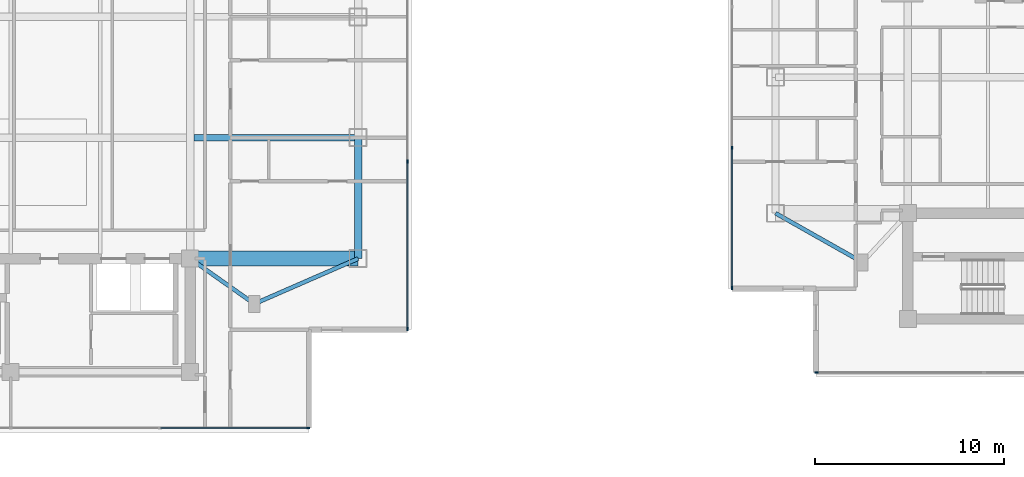
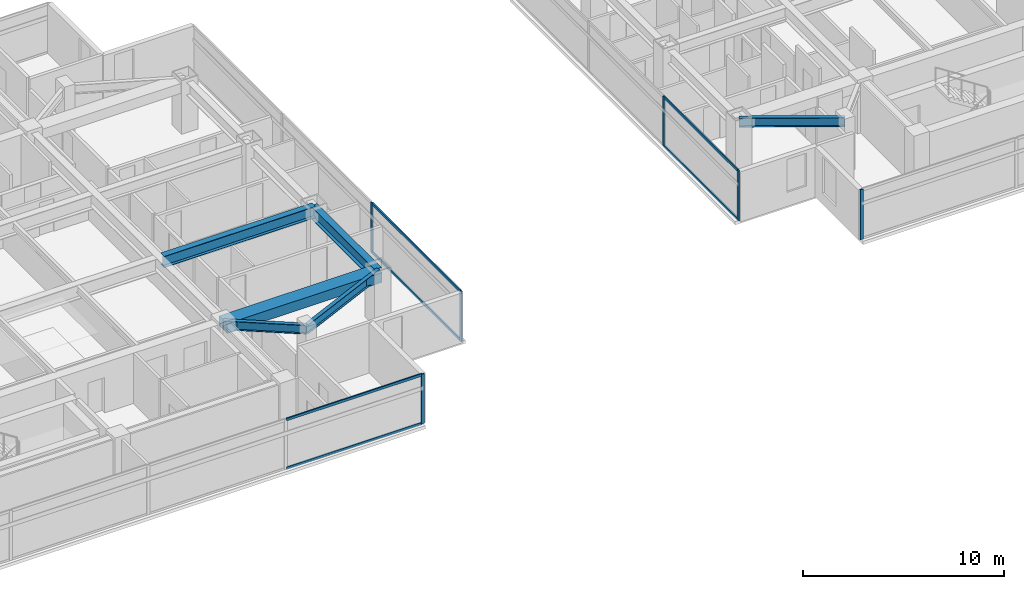
# One storey, part 4 of 26: 12 members, 6 beams, 4 elements without a shape of their own.
"""IFC4 building model written with IfcOpenShell, lengths in metres."""

from ifc_helpers import new_model, si_unit, direction, frame, origin, origin_2d, place, context, subcontext, project, spatial, rectangle, i_section, extrude, material, material_profile, profile_set, type_object, element, aggregate, save


model = new_model("IFC4")

# Units and contexts
model_context = context("Model", 3, precision=1e-05, world=origin(), true_north=direction((0.0, 1.0)))
body_context = subcontext(model_context, "Body", "Model", "MODEL_VIEW")
ifc_project = project(units=[si_unit("LENGTHUNIT", "METRE"), si_unit("AREAUNIT", "SQUARE_METRE"), si_unit("VOLUMEUNIT", "CUBIC_METRE"), si_unit("PLANEANGLEUNIT", "RADIAN"), si_unit("MASSUNIT", "GRAM", prefix="KILO")], contexts=[model_context])

# Site, building, storey
site_placement = place(None, origin())
site = spatial("IfcSite", under=ifc_project, at=site_placement, CompositionType="ELEMENT")
building_placement = place(site_placement, origin())
building = spatial("IfcBuilding", under=site, at=building_placement, Name="Mirazonda Arch Towers", CompositionType="ELEMENT")
storey_placement = place(building_placement, frame((0.0, 0.0, 203.14990234375)))
storey = spatial("IfcBuildingStorey", under=building, at=storey_placement, Name="L58", CompositionType="ELEMENT", Elevation=203.14990234375)

# Beams
ifc_material_1 = material(Name="Steel ASTM A992 Grade 50", Category="steel")
ifc_material_profile_1 = material_profile(ifc_material_1, i_section(OverallWidth=0.381103515625, OverallDepth=0.77294921875, WebThickness=0.0166015625, FlangeThickness=0.027099609375, at=origin_2d()), Name="W30X173")
ifc_profile_set_1 = profile_set([ifc_material_profile_1], Name="Steel ASTM A992 Grade 50")
beam_type_1 = type_object("IfcBeamType", Name="BM-EXT-W30X173", PredefinedType="USERDEFINED", material=ifc_profile_set_1)
beam_1_placement = place(storey_placement, frame((38.89990234375, 18.39990234375, 2.66357421875), z_axis=(0.0, 1.0, 0.0), x_axis=(-1.0, 0.0, 0.0)))
element("IfcBeam", 1, at=beam_1_placement, inside=storey, type_object=beam_type_1, Name="L58 Floor Beam BM-T1-L58-NS-E-18", ObjectType="GIRDER", PredefinedType="USERDEFINED", context=body_context, shape_type="SweptSolid", body=[
    extrude(i_section(OverallWidth=0.381103515625, OverallDepth=0.77294921875, WebThickness=0.0166015625, FlangeThickness=0.027099609375, at=origin_2d()), origin(), (0.0, 0.0, 1.0), 6.400146484375),
])
ifc_material_profile_2 = material_profile(ifc_material_1, i_section(OverallWidth=0.214111328125, OverallDepth=0.549072265625, WebThickness=0.0146484375, FlangeThickness=0.023681640625, at=origin_2d()), Name="W21X93")
ifc_profile_set_2 = profile_set([ifc_material_profile_2], Name="Steel ASTM A992 Grade 50")
beam_type_2 = type_object("IfcBeamType", Name="BM-INT-W21X93", PredefinedType="BEAM", material=ifc_profile_set_2)
beam_2_placement = place(storey_placement, frame((33.39990234375, 16.0, 2.775634765625), z_axis=(-0.816971114901, 0.576678591087, 0.0), x_axis=(-0.576678591087, -0.816971114901, 0.0)))
element("IfcBeam", 2, at=beam_2_placement, inside=storey, type_object=beam_type_2, Name="L58 Floor Beam BM-T1-L58-PL-SE1", PredefinedType="BEAM", context=body_context, shape_type="SweptSolid", body=[
    extrude(i_section(OverallWidth=0.214111328125, OverallDepth=0.549072265625, WebThickness=0.0146484375, FlangeThickness=0.023681640625, at=origin_2d()), origin(), (0.0, 0.0, 1.0), 4.16162109375),
])
beam_3_placement = place(storey_placement, frame((33.39990234375, 16.0, 2.775634765625), z_axis=(0.916545343703, 0.399930785183, 0.0), x_axis=(-0.399930785183, 0.916545343703, 0.0)))
element("IfcBeam", 3, at=beam_3_placement, inside=storey, type_object=beam_type_2, Name="L58 Floor Beam BM-T1-L58-PL-SE2", PredefinedType="BEAM", context=body_context, shape_type="SweptSolid", body=[
    extrude(i_section(OverallWidth=0.214111328125, OverallDepth=0.549072265625, WebThickness=0.0146484375, FlangeThickness=0.023681640625, at=origin_2d()), origin(), (0.0, 0.0, 1.0), 6.000732421875),
])
beam_4_placement = place(storey_placement, frame((65.60009765625, 18.199951171875, 2.775634765625), z_axis=(-0.870559396632, 0.492063346467, 0.0), x_axis=(-0.492063346467, -0.870559396632, 0.0)))
element("IfcBeam", 4, at=beam_4_placement, inside=storey, type_object=beam_type_2, Name="L58 Floor Beam BM-T2-L58-PL-SW2", PredefinedType="BEAM", context=body_context, shape_type="SweptSolid", body=[
    extrude(i_section(OverallWidth=0.214111328125, OverallDepth=0.549072265625, WebThickness=0.0146484375, FlangeThickness=0.023681640625, at=origin_2d()), origin(), (0.0, 0.0, 1.0), 5.2841796875),
])
ifc_material_profile_3 = material_profile(ifc_material_1, i_section(OverallWidth=0.35498046875, OverallDepth=0.696044921875, WebThickness=0.015380859375, FlangeThickness=0.02490234375, at=origin_2d()), Name="W27X146")
ifc_profile_set_3 = profile_set([ifc_material_profile_3], Name="Steel ASTM A992 Grade 50")
beam_type_3 = type_object("IfcBeamType", Name="BM-INT-W27X146", PredefinedType="BEAM", material=ifc_profile_set_3)
beam_5_placement = place(storey_placement, frame((30.199951171875, 24.800048828125, 2.7021484375), z_axis=(1.0, 0.0, 0.0), x_axis=(0.0, 1.0, 0.0)))
element("IfcBeam", 5, at=beam_5_placement, inside=storey, type_object=beam_type_3, Name="L58 Floor Beam BM-T1-L58-GE2", PredefinedType="BEAM", context=body_context, shape_type="SweptSolid", body=[
    extrude(i_section(OverallWidth=0.35498046875, OverallDepth=0.696044921875, WebThickness=0.015380859375, FlangeThickness=0.02490234375, at=origin_2d()), origin(), (0.0, 0.0, 1.0), 8.699951171875),
])
ifc_material_2 = material(Name="Concrete C60/75", Category="concrete")
ifc_material_profile_4 = material_profile(ifc_material_2, rectangle(XDim=0.800048828125, YDim=0.60009765625, at=origin_2d()), Name="RCCB800x600")
ifc_profile_set_4 = profile_set([ifc_material_profile_4], Name="Concrete C60/75")
beam_type_4 = type_object("IfcBeamType", Name="CB-INT-RCCB800x600", PredefinedType="SPANDREL", material=ifc_profile_set_4)
beam_6_placement = place(storey_placement, frame((30.0, 18.39990234375, 2.75), z_axis=(1.0, 0.0, 0.0), x_axis=(0.0, 1.0, 0.0)))
element("IfcBeam", 6, at=beam_6_placement, inside=storey, type_object=beam_type_4, Name="L58 Floor Beam CBC-T1-L58-SE", PredefinedType="SPANDREL", context=body_context, shape_type="SweptSolid", body=[
    extrude(rectangle(XDim=0.800048828125, YDim=0.60009765625, at=origin_2d()), origin(), (0.0, 0.0, 1.0), 8.89990234375),
])

# Curtain wall, member
ifc_material_3 = material(Name="Anodised Aluminium and Low-E Glass", Category="aluminium")
curtain_wall_type = type_object("IfcCurtainWallType", Name="CW-RES-UNIT", PredefinedType="NOTDEFINED", material=ifc_material_3)
curtain_wall_1_placement = place(storey_placement, origin())
curtain_wall_1 = element("IfcCurtainWall", 7, at=curtain_wall_1_placement, inside=storey, type_object=curtain_wall_type, Name="L58 T1 S Facade CW-L58-T1-S", PredefinedType="NOTDEFINED")
ifc_material_4 = material(Name="Anodised Aluminium Alloy", Category="aluminium")
ifc_material_profile_5 = material_profile(ifc_material_4, rectangle(XDim=0.074951171875, YDim=0.175048828125, at=origin_2d()), Name="ALU-MULL-75x175")
ifc_profile_set_5 = profile_set([ifc_material_profile_5], Name="Anodised Aluminium Alloy")
member_type_1 = type_object("IfcMemberType", Name="MULL-CW-RES-UNIT", PredefinedType="MULLION", material=ifc_profile_set_5)
member_1_placement = place(storey_placement, frame((36.257568359375, 9.422119140625, 0.0), z_axis=(0.0, 0.0, 1.0), x_axis=(0.0, -1.0, 0.0)))
member_1 = element("IfcMember", 8, at=member_1_placement, type_object=member_type_1, Name="CW-104 mullion 1", PredefinedType="MULLION", context=body_context, shape_type="SweptSolid", body=[
    extrude(rectangle(XDim=0.074951171875, YDim=0.175048828125, at=origin_2d()), origin(), (0.0, 0.0, 1.0), 3.030029296875),
])

# Curtain wall, members
curtain_wall_2_placement = place(storey_placement, origin())
curtain_wall_2 = element("IfcCurtainWall", 9, at=curtain_wall_2_placement, inside=storey, type_object=curtain_wall_type, Name="L58 T1 E Facade CW-L58-T1-E", PredefinedType="NOTDEFINED")
member_2_placement = place(storey_placement, frame((41.510009765625, 14.674560546875, 0.0), z_axis=(0.0, 0.0, 1.0), x_axis=(-1.0, 0.0, 0.0)))
member_2 = element("IfcMember", 10, at=member_2_placement, type_object=member_type_1, Name="CW-104 mullion 1", PredefinedType="MULLION", context=body_context, shape_type="SweptSolid", body=[
    extrude(rectangle(XDim=0.074951171875, YDim=0.175048828125, at=origin_2d()), origin(), (0.0, 0.0, 1.0), 3.030029296875),
])
member_3_placement = place(storey_placement, frame((41.510009765625, 23.545654296875, 0.0), z_axis=(0.0, 0.0, 1.0), x_axis=(-1.0, 0.0, 0.0)))
member_3 = element("IfcMember", 11, at=member_3_placement, type_object=member_type_1, Name="CW-104 mullion 2", PredefinedType="MULLION", context=body_context, shape_type="SweptSolid", body=[
    extrude(rectangle(XDim=0.074951171875, YDim=0.175048828125, at=origin_2d()), origin(), (0.0, 0.0, 1.0), 3.030029296875),
])

# Curtain wall, member
curtain_wall_3_placement = place(storey_placement, origin())
curtain_wall_3 = element("IfcCurtainWall", 12, at=curtain_wall_3_placement, inside=storey, type_object=curtain_wall_type, Name="L58 T2 S Facade CW-L58-T2-S", PredefinedType="NOTDEFINED")
member_4_placement = place(storey_placement, frame((63.171630859375, 12.36181640625, 0.0), z_axis=(0.0, 0.0, 1.0), x_axis=(0.0, -1.0, 0.0)))
member_4 = element("IfcMember", 13, at=member_4_placement, type_object=member_type_1, Name="CW-104 mullion 4", PredefinedType="MULLION", context=body_context, shape_type="SweptSolid", body=[
    extrude(rectangle(XDim=0.074951171875, YDim=0.175048828125, at=origin_2d()), origin(), (0.0, 0.0, 1.0), 3.030029296875),
])
aggregate(curtain_wall_3, [member_4])

# Curtain wall, members
curtain_wall_4_placement = place(storey_placement, origin())
curtain_wall_4 = element("IfcCurtainWall", 14, at=curtain_wall_4_placement, inside=storey, type_object=curtain_wall_type, Name="L58 T2 W Facade CW-L58-T2-W", PredefinedType="NOTDEFINED")
member_5_placement = place(storey_placement, frame((58.694580078125, 24.26708984375, 0.0), z_axis=(0.0, 0.0, 1.0), x_axis=(1.0, 0.0, 0.0)))
member_5 = element("IfcMember", 15, at=member_5_placement, type_object=member_type_1, Name="CW-104 mullion 3", PredefinedType="MULLION", context=body_context, shape_type="SweptSolid", body=[
    extrude(rectangle(XDim=0.074951171875, YDim=0.175048828125, at=origin_2d()), origin(), (0.0, 0.0, 1.0), 3.030029296875),
])
member_6_placement = place(storey_placement, frame((58.694580078125, 16.8388671875, 0.0), z_axis=(0.0, 0.0, 1.0), x_axis=(1.0, 0.0, 0.0)))
member_6 = element("IfcMember", 16, at=member_6_placement, type_object=member_type_1, Name="CW-104 mullion 4", PredefinedType="MULLION", context=body_context, shape_type="SweptSolid", body=[
    extrude(rectangle(XDim=0.074951171875, YDim=0.175048828125, at=origin_2d()), origin(), (0.0, 0.0, 1.0), 3.030029296875),
])

# Member
ifc_material_profile_6 = material_profile(ifc_material_4, rectangle(XDim=0.074951171875, YDim=0.155029296875, at=origin_2d()), Name="ALU-TRAN-75x155")
ifc_profile_set_6 = profile_set([ifc_material_profile_6], Name="Anodised Aluminium Alloy")
member_type_2 = type_object("IfcMemberType", Name="TRAN-CW-RES-UNIT", PredefinedType="USERDEFINED", material=ifc_profile_set_6)
member_7_placement = place(storey_placement, frame((36.219970703125, 9.422119140625, 0.03759765625), z_axis=(-1.0, 0.0, 0.0), x_axis=(0.0, -1.0, 0.0)))
member_7 = element("IfcMember", 17, at=member_7_placement, type_object=member_type_2, Name="CW-104 transom 1.1", ObjectType="TRANSOM", PredefinedType="USERDEFINED", context=body_context, shape_type="SweptSolid", body=[
    extrude(rectangle(XDim=0.074951171875, YDim=0.155029296875, at=origin_2d()), origin(), (0.0, 0.0, 1.0), 7.784912109375),
])

member_8_placement = place(storey_placement, frame((36.219970703125, 9.422119140625, 2.99267578125), z_axis=(-1.0, 0.0, 0.0), x_axis=(0.0, -1.0, 0.0)))
member_8 = element("IfcMember", 18, at=member_8_placement, type_object=member_type_2, Name="CW-104 transom 1.2", ObjectType="TRANSOM", PredefinedType="USERDEFINED", context=body_context, shape_type="SweptSolid", body=[
    extrude(rectangle(XDim=0.074951171875, YDim=0.155029296875, at=origin_2d()), origin(), (0.0, 0.0, 1.0), 7.784912109375),
])

aggregate(curtain_wall_1, [member_1, member_7, member_8])

member_9_placement = place(storey_placement, frame((41.510009765625, 14.7119140625, 0.03759765625), z_axis=(0.0, 1.0, 0.0), x_axis=(-1.0, 0.0, 0.0)))
member_9 = element("IfcMember", 19, at=member_9_placement, type_object=member_type_2, Name="CW-104 transom 1.1", ObjectType="TRANSOM", PredefinedType="USERDEFINED", context=body_context, shape_type="SweptSolid", body=[
    extrude(rectangle(XDim=0.074951171875, YDim=0.155029296875, at=origin_2d()), origin(), (0.0, 0.0, 1.0), 8.796142578125),
])

member_10_placement = place(storey_placement, frame((41.510009765625, 14.7119140625, 2.99267578125), z_axis=(0.0, 1.0, 0.0), x_axis=(-1.0, 0.0, 0.0)))
member_10 = element("IfcMember", 20, at=member_10_placement, type_object=member_type_2, Name="CW-104 transom 1.2", ObjectType="TRANSOM", PredefinedType="USERDEFINED", context=body_context, shape_type="SweptSolid", body=[
    extrude(rectangle(XDim=0.074951171875, YDim=0.155029296875, at=origin_2d()), origin(), (0.0, 0.0, 1.0), 8.796142578125),
])

aggregate(curtain_wall_2, [member_2, member_3, member_9, member_10])

member_11_placement = place(storey_placement, frame((58.694580078125, 24.229736328125, 0.03759765625), z_axis=(0.0, -1.0, 0.0), x_axis=(1.0, 0.0, 0.0)))
member_11 = element("IfcMember", 21, at=member_11_placement, type_object=member_type_2, Name="CW-104 transom 3.1", ObjectType="TRANSOM", PredefinedType="USERDEFINED", context=body_context, shape_type="SweptSolid", body=[
    extrude(rectangle(XDim=0.074951171875, YDim=0.155029296875, at=origin_2d()), origin(), (0.0, 0.0, 1.0), 7.353271484375),
])

member_12_placement = place(storey_placement, frame((58.694580078125, 24.229736328125, 2.99267578125), z_axis=(0.0, -1.0, 0.0), x_axis=(1.0, 0.0, 0.0)))
member_12 = element("IfcMember", 22, at=member_12_placement, type_object=member_type_2, Name="CW-104 transom 3.2", ObjectType="TRANSOM", PredefinedType="USERDEFINED", context=body_context, shape_type="SweptSolid", body=[
    extrude(rectangle(XDim=0.074951171875, YDim=0.155029296875, at=origin_2d()), origin(), (0.0, 0.0, 1.0), 7.353271484375),
])

aggregate(curtain_wall_4, [member_5, member_6, member_11, member_12])

save(model, "model.ifc")
